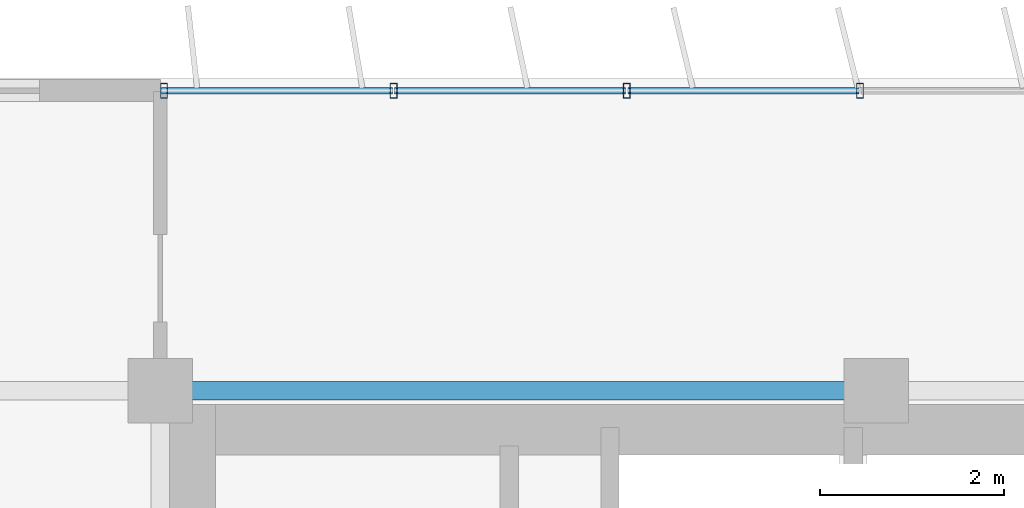
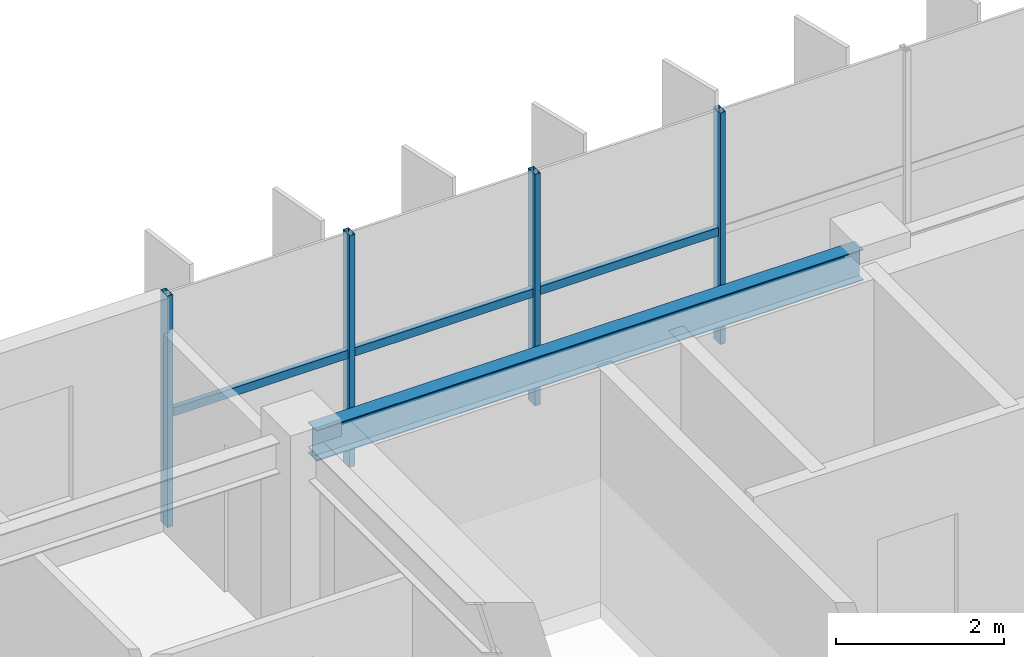
# One storey, part 17 of 35: 7 members, 1 beam, 1 element without a shape of its own.
"""IFC4 building model written with IfcOpenShell, lengths in metres."""

from ifc_helpers import new_model, si_unit, direction, frame, origin, origin_2d, place, context, subcontext, project, spatial, hollow_rectangle, i_section, extrude, source, transform, mapped, material, material_profile, profile_set, type_object, element, aggregate, save


model = new_model("IFC4")

# Units and contexts
model_context = context("Model", 3, precision=1e-05, world=origin(), true_north=direction((0.0, 1.0)))
body_context = subcontext(model_context, "Body", "Model", "MODEL_VIEW")
ifc_project = project(units=[si_unit("LENGTHUNIT", "METRE"), si_unit("AREAUNIT", "SQUARE_METRE"), si_unit("VOLUMEUNIT", "CUBIC_METRE"), si_unit("PLANEANGLEUNIT", "RADIAN"), si_unit("MASSUNIT", "GRAM", prefix="KILO")], contexts=[model_context])

# Site, building, storey
site_placement = place(None, origin())
site = spatial("IfcSite", under=ifc_project, at=site_placement, CompositionType="ELEMENT")
building_placement = place(site_placement, origin())
building = spatial("IfcBuilding", under=site, at=building_placement, Name="Trelvane Seafront Commons", CompositionType="ELEMENT")
storey_placement = place(building_placement, frame((0.0, 0.0, 194.10009765625)))
storey = spatial("IfcBuildingStorey", under=building, at=storey_placement, Name="L50", CompositionType="ELEMENT", Elevation=194.10009765625)

# Beam
ifc_material_1 = material(Name="Steel SM355 (S355)", Category="steel")
ifc_material_profile_1 = material_profile(ifc_material_1, i_section(OverallWidth=0.199951171875, OverallDepth=0.449951171875, WebThickness=0.009033203125, FlangeThickness=0.013916015625, at=origin_2d()), Name="H-450x200x9x14")
ifc_profile_set_1 = profile_set([ifc_material_profile_1], Name="Steel SM355 (S355)")
beam_type = type_object("IfcBeamType", Name="STR-SPD-H450", PredefinedType="SPANDREL", material=ifc_profile_set_1)
shared_shape_1 = source(origin(), body_context, "Body", "SweptSolid", [
    extrude(i_section(OverallWidth=0.199951171875, OverallDepth=0.449951171875, WebThickness=0.009033203125, FlangeThickness=0.013916015625, at=origin_2d()), origin(), (0.0, 0.0, 1.0), 7.5),
])
beam_placement = place(storey_placement, frame((15.75, 45.10009765625, 3.135009765625), z_axis=(1.0, 0.0, 0.0), x_axis=(0.0, 1.0, 0.0)))
element("IfcBeam", 1, at=beam_placement, inside=storey, type_object=beam_type, Name="L50 Primary Girder G-23", PredefinedType="SPANDREL", context=body_context, shape_type="MappedRepresentation", body=[
    mapped(shared_shape_1, transform((0.0, 0.0, 0.0), x_axis=(1.0, 0.0, 0.0), y_axis=(0.0, 1.0, 0.0), z_axis=(0.0, 0.0, 1.0), scale=1.0)),
])

# Curtain wall, members
ifc_material_2 = material(Name="Anodised pale-silver aluminium", Category="aluminium")
curtain_wall_type = type_object("IfcCurtainWallType", Name="ARCH-CW5-UPTOWER", PredefinedType="NOTDEFINED", material=ifc_material_2)
curtain_wall_placement = place(storey_placement, origin())
curtain_wall = element("IfcCurtainWall", 2, at=curtain_wall_placement, inside=storey, type_object=curtain_wall_type, Name="CW-L50-0078", PredefinedType="NOTDEFINED")
ifc_material_profile_2 = material_profile(ifc_material_2, hollow_rectangle(XDim=0.070068359375, YDim=0.1201171875, WallThickness=0.00390625, at=origin_2d()), Name="TRAN-70x120x4")
ifc_profile_set_2 = profile_set([ifc_material_profile_2], Name="Anodised pale-silver aluminium")
member_type_1 = type_object("IfcMemberType", Name="ARCH-CW-TRAN-120", PredefinedType="USERDEFINED", material=ifc_profile_set_2)
shared_shape_2 = source(origin(), body_context, "Body", "SweptSolid", [
    extrude(hollow_rectangle(XDim=0.070068359375, YDim=0.1201171875, WallThickness=0.00390625, at=origin_2d()), origin(), (0.0, 0.0, 1.0), 2.51708984375),
])
member_1_placement = place(storey_placement, frame((15.612060546875, 48.3701171875, 1.61279296875), z_axis=(1.0, 0.0, 0.0), x_axis=(0.0, 1.0, 0.0)))
member_1 = element("IfcMember", 3, at=member_1_placement, type_object=member_type_1, Name="CW-L50-0078-T00", ObjectType="TRANSOM", PredefinedType="USERDEFINED", context=body_context, shape_type="MappedRepresentation", body=[
    mapped(shared_shape_2, transform((0.0, 0.0, 0.0), x_axis=(1.0, 0.0, 0.0), y_axis=(0.0, 1.0, 0.0), z_axis=(0.0, 0.0, 1.0), scale=1.0)),
])
member_2_placement = place(storey_placement, frame((18.1533203125, 48.3701171875, 1.61279296875), z_axis=(1.0, 0.0, 0.0), x_axis=(0.0, 1.0, 0.0)))
member_2 = element("IfcMember", 4, at=member_2_placement, type_object=member_type_1, Name="CW-L50-0078-T01", ObjectType="TRANSOM", PredefinedType="USERDEFINED", context=body_context, shape_type="MappedRepresentation", body=[
    mapped(shared_shape_2, transform((0.0, 0.0, 0.0), x_axis=(1.0, 0.0, 0.0), y_axis=(0.0, 1.0, 0.0), z_axis=(0.0, 0.0, 1.0), scale=1.0)),
])
member_3_placement = place(storey_placement, frame((20.6943359375, 48.3701171875, 1.61279296875), z_axis=(1.0, 0.0, 0.0), x_axis=(0.0, 1.0, 0.0)))
member_3 = element("IfcMember", 5, at=member_3_placement, type_object=member_type_1, Name="CW-L50-0078-T02", ObjectType="TRANSOM", PredefinedType="USERDEFINED", context=body_context, shape_type="MappedRepresentation", body=[
    mapped(shared_shape_2, transform((0.0, 0.0, 0.0), x_axis=(1.0, 0.0, 0.0), y_axis=(0.0, 1.0, 0.0), z_axis=(0.0, 0.0, 1.0), scale=1.0)),
])
ifc_material_profile_3 = material_profile(ifc_material_2, hollow_rectangle(XDim=0.074951171875, YDim=0.159912109375, WallThickness=0.00390625, at=origin_2d()), Name="MULL-75x160x4")
ifc_profile_set_3 = profile_set([ifc_material_profile_3], Name="Anodised pale-silver aluminium")
member_type_2 = type_object("IfcMemberType", Name="ARCH-CW-MULL-160", PredefinedType="MULLION", material=ifc_profile_set_3)
shared_shape_3 = source(origin(), body_context, "Body", "SweptSolid", [
    extrude(hollow_rectangle(XDim=0.074951171875, YDim=0.159912109375, WallThickness=0.00390625, at=origin_2d()), origin(), (0.0, 0.0, 1.0), 3.35986328125),
])
member_4_placement = place(storey_placement, frame((15.639892578125, 48.3701171875, 0.0), z_axis=(0.0, 0.0, 1.0), x_axis=(1.0, 0.0, 0.0)))
member_4 = element("IfcMember", 6, at=member_4_placement, type_object=member_type_2, Name="CW-L50-0078-M00", PredefinedType="MULLION", context=body_context, shape_type="MappedRepresentation", body=[
    mapped(shared_shape_3, transform((0.0, 0.0, 0.0), x_axis=(1.0, 0.0, 0.0), y_axis=(0.0, 1.0, 0.0), z_axis=(0.0, 0.0, 1.0), scale=1.0)),
])
member_5_placement = place(storey_placement, frame((18.14111328125, 48.3701171875, 0.0), z_axis=(0.0, 0.0, 1.0), x_axis=(1.0, 0.0, 0.0)))
member_5 = element("IfcMember", 7, at=member_5_placement, type_object=member_type_2, Name="CW-L50-0078-M01", PredefinedType="MULLION", context=body_context, shape_type="MappedRepresentation", body=[
    mapped(shared_shape_3, transform((0.0, 0.0, 0.0), x_axis=(1.0, 0.0, 0.0), y_axis=(0.0, 1.0, 0.0), z_axis=(0.0, 0.0, 1.0), scale=1.0)),
])
member_6_placement = place(storey_placement, frame((20.682373046875, 48.3701171875, 0.0), z_axis=(0.0, 0.0, 1.0), x_axis=(1.0, 0.0, 0.0)))
member_6 = element("IfcMember", 8, at=member_6_placement, type_object=member_type_2, Name="CW-L50-0078-M02", PredefinedType="MULLION", context=body_context, shape_type="MappedRepresentation", body=[
    mapped(shared_shape_3, transform((0.0, 0.0, 0.0), x_axis=(1.0, 0.0, 0.0), y_axis=(0.0, 1.0, 0.0), z_axis=(0.0, 0.0, 1.0), scale=1.0)),
])
member_7_placement = place(storey_placement, frame((23.223388671875, 48.3701171875, 0.0), z_axis=(0.0, 0.0, 1.0), x_axis=(1.0, 0.0, 0.0)))
member_7 = element("IfcMember", 9, at=member_7_placement, type_object=member_type_2, Name="CW-L50-0078-M03", PredefinedType="MULLION", context=body_context, shape_type="MappedRepresentation", body=[
    mapped(shared_shape_3, transform((0.0, 0.0, 0.0), x_axis=(1.0, 0.0, 0.0), y_axis=(0.0, 1.0, 0.0), z_axis=(0.0, 0.0, 1.0), scale=1.0)),
])
aggregate(curtain_wall, [member_4, member_5, member_6, member_7, member_1, member_2, member_3])

save(model, "model.ifc")
